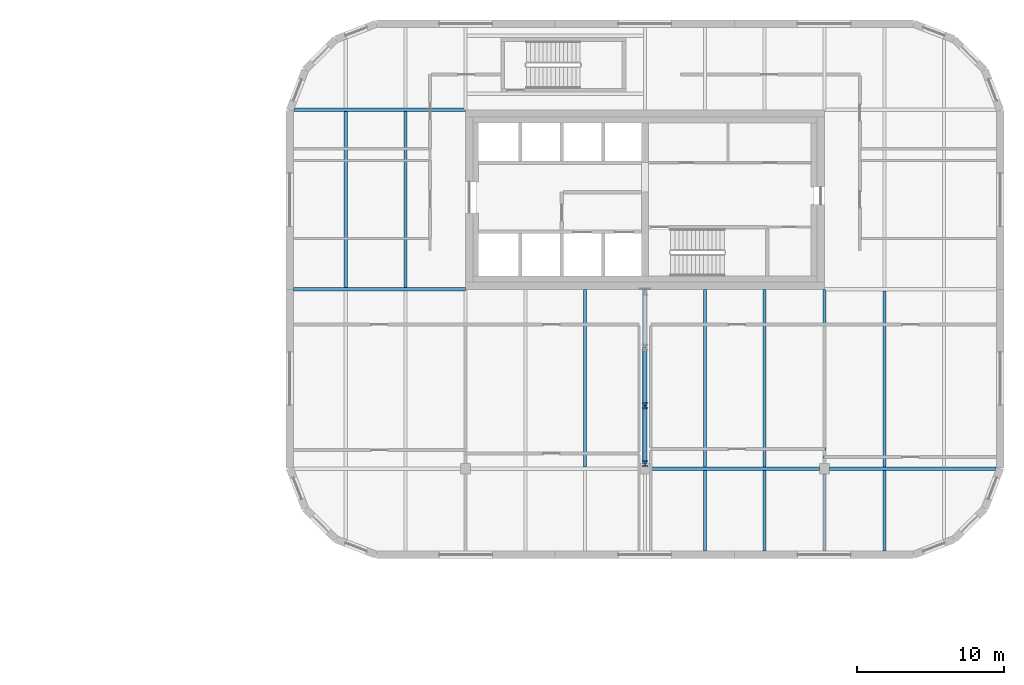
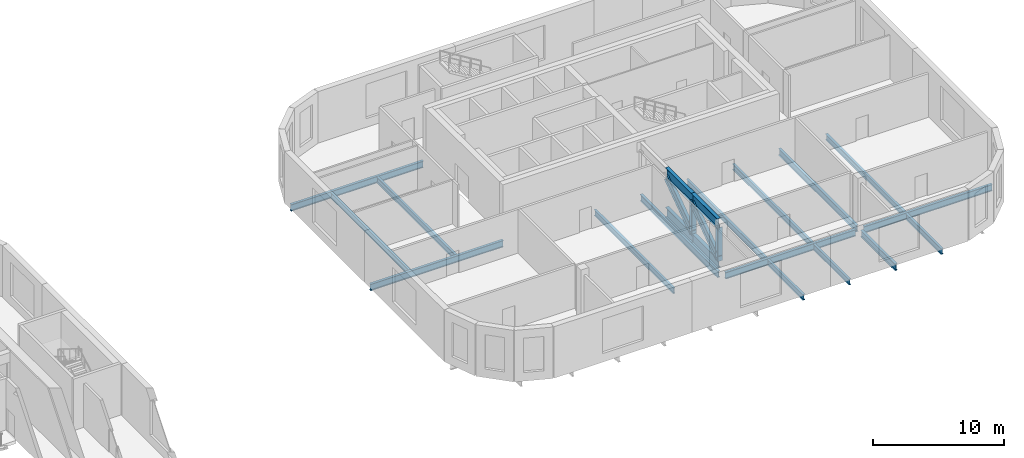
# One storey, part 5 of 21: 20 beams, 4 members.
"""IFC4 building model written with IfcOpenShell, lengths in metres."""

from ifc_helpers import new_model, si_unit, direction, frame, origin, origin_2d, place, context, subcontext, project, spatial, i_section, extrude, material, material_profile, profile_set, type_object, element, save


model = new_model("IFC4")

# Units and contexts
model_context = context("Model", 3, precision=1e-05, world=origin(), true_north=direction((0.0, 1.0)))
body_context = subcontext(model_context, "Body", "Model", "MODEL_VIEW")
ifc_project = project(units=[si_unit("LENGTHUNIT", "METRE"), si_unit("AREAUNIT", "SQUARE_METRE"), si_unit("VOLUMEUNIT", "CUBIC_METRE"), si_unit("PLANEANGLEUNIT", "RADIAN"), si_unit("MASSUNIT", "GRAM", prefix="KILO")], contexts=[model_context])

# Site, building, storey
site_placement = place(None, origin())
site = spatial("IfcSite", under=ifc_project, at=site_placement, CompositionType="ELEMENT")
building_placement = place(site_placement, origin())
building = spatial("IfcBuilding", under=site, at=building_placement, Name="Tessera Gate Towers", CompositionType="ELEMENT")
storey_placement = place(building_placement, frame((0.0, 0.0, 63.800048828125)))
storey = spatial("IfcBuildingStorey", under=building, at=storey_placement, Name="L15", CompositionType="ELEMENT", Elevation=63.800048828125)

# Beams
ifc_material_1 = material(Name="Steel 350W", Category="steel")
ifc_material_profile_1 = material_profile(ifc_material_1, i_section(OverallWidth=0.22900390625, OverallDepth=0.612060546875, WebThickness=0.011962890625, FlangeThickness=0.01953125, at=origin_2d()), Name="W610x125")
ifc_profile_set_1 = profile_set([ifc_material_profile_1], Name="Steel 350W")
beam_type_1 = type_object("IfcBeamType", Name="FLOOR GIRDER W610x125", PredefinedType="BEAM", material=ifc_profile_set_1)
beam_1_placement = place(storey_placement, frame((110.14990234375, 24.39990234375, -0.60595703125), z_axis=(1.0, 0.0, 0.0), x_axis=(0.0, 1.0, 0.0)))
element("IfcBeam", 1, at=beam_1_placement, inside=storey, type_object=beam_type_1, Name="T2-GD-L15-2187", PredefinedType="BEAM", context=body_context, shape_type="SweptSolid", body=[
    extrude(i_section(OverallWidth=0.22900390625, OverallDepth=0.612060546875, WebThickness=0.011962890625, FlangeThickness=0.01953125, at=origin_2d()), origin(), (0.0, 0.0, 1.0), 11.5),
])
beam_2_placement = place(storey_placement, frame((122.35009765625, 24.39990234375, -0.60595703125), z_axis=(1.0, 0.0, 0.0), x_axis=(0.0, 1.0, 0.0)))
element("IfcBeam", 2, at=beam_2_placement, inside=storey, type_object=beam_type_1, Name="T2-GD-L15-2188", PredefinedType="BEAM", context=body_context, shape_type="SweptSolid", body=[
    extrude(i_section(OverallWidth=0.22900390625, OverallDepth=0.612060546875, WebThickness=0.011962890625, FlangeThickness=0.01953125, at=origin_2d()), origin(), (0.0, 0.0, 1.0), 11.315185546875),
])
beam_3_placement = place(storey_placement, frame((85.89892578125, 36.60009765625, -0.60595703125), z_axis=(1.0, 0.0, 0.0), x_axis=(0.0, 1.0, 0.0)))
element("IfcBeam", 3, at=beam_3_placement, inside=storey, type_object=beam_type_1, Name="T2-GD-L15-2189", PredefinedType="BEAM", context=body_context, shape_type="SweptSolid", body=[
    extrude(i_section(OverallWidth=0.22900390625, OverallDepth=0.612060546875, WebThickness=0.011962890625, FlangeThickness=0.01953125, at=origin_2d()), origin(), (0.0, 0.0, 1.0), 11.7001953125),
])
beam_4_placement = place(storey_placement, frame((85.934814453125, 48.800048828125, -0.60595703125), z_axis=(1.0, 0.0, 0.0), x_axis=(0.0, 1.0, 0.0)))
element("IfcBeam", 4, at=beam_4_placement, inside=storey, type_object=beam_type_1, Name="T2-GD-L15-2191", PredefinedType="BEAM", context=body_context, shape_type="SweptSolid", body=[
    extrude(i_section(OverallWidth=0.22900390625, OverallDepth=0.612060546875, WebThickness=0.011962890625, FlangeThickness=0.01953125, at=origin_2d()), origin(), (0.0, 0.0, 1.0), 11.664306640625),
])
beam_5_placement = place(storey_placement, frame((109.800048828125, 24.75, -0.60595703125), z_axis=(0.0, 1.0, 0.0), x_axis=(-1.0, 0.0, 0.0)))
element("IfcBeam", 5, at=beam_5_placement, inside=storey, type_object=beam_type_1, Name="T2-GD-L15-2196", PredefinedType="BEAM", context=body_context, shape_type="SweptSolid", body=[
    extrude(i_section(OverallWidth=0.22900390625, OverallDepth=0.612060546875, WebThickness=0.011962890625, FlangeThickness=0.01953125, at=origin_2d()), origin(), (0.0, 0.0, 1.0), 11.85009765625),
])
beam_6_placement = place(storey_placement, frame((122.0, 18.799072265625, -0.60595703125), z_axis=(0.0, 1.0, 0.0), x_axis=(-1.0, 0.0, 0.0)))
element("IfcBeam", 6, at=beam_6_placement, inside=storey, type_object=beam_type_1, Name="T2-GD-L15-2197", PredefinedType="BEAM", context=body_context, shape_type="SweptSolid", body=[
    extrude(i_section(OverallWidth=0.22900390625, OverallDepth=0.612060546875, WebThickness=0.011962890625, FlangeThickness=0.01953125, at=origin_2d()), origin(), (0.0, 0.0, 1.0), 5.2509765625),
])
beam_7_placement = place(storey_placement, frame((122.0, 24.75, -0.60595703125), z_axis=(0.0, 1.0, 0.0), x_axis=(-1.0, 0.0, 0.0)))
element("IfcBeam", 7, at=beam_7_placement, inside=storey, type_object=beam_type_1, Name="T2-GD-L15-2198", PredefinedType="BEAM", context=body_context, shape_type="SweptSolid", body=[
    extrude(i_section(OverallWidth=0.22900390625, OverallDepth=0.612060546875, WebThickness=0.011962890625, FlangeThickness=0.01953125, at=origin_2d()), origin(), (0.0, 0.0, 1.0), 11.85009765625),
])
ifc_material_2 = material(Name="Steel 350W", Category="steel")
ifc_material_profile_2 = material_profile(ifc_material_2, i_section(OverallWidth=0.208984375, OverallDepth=0.528076171875, WebThickness=0.009521484375, FlangeThickness=0.01318359375, at=origin_2d()), Name="W530x82")
ifc_profile_set_2 = profile_set([ifc_material_profile_2], Name="Steel 350W")
beam_type_2 = type_object("IfcBeamType", Name="FLOOR SECONDARY W530x82", PredefinedType="BEAM", material=ifc_profile_set_2)
for number, where, z_axis, x_axis, name in (
    (8, (89.466796875, 36.714599609375, -0.56396484375), (0.0, 1.0, 0.0), (-1.0, 0.0, 0.0), "T2-BM-L15-2203"),
    (9, (93.533203125, 36.714599609375, -0.56396484375), (0.0, 1.0, 0.0), (-1.0, 0.0, 0.0), "T2-BM-L15-2207"),
):
    element("IfcBeam", number, at=place(storey_placement, frame(where, z_axis=z_axis, x_axis=x_axis)), inside=storey, type_object=beam_type_2, Name=name, PredefinedType="BEAM", context=body_context, shape_type="SweptSolid", body=[
        extrude(i_section(OverallWidth=0.208984375, OverallDepth=0.528076171875, WebThickness=0.009521484375, FlangeThickness=0.01318359375, at=origin_2d()), origin(), (0.0, 0.0, 1.0), 11.970947265625),
    ])
beam_8_placement = place(storey_placement, frame((105.7333984375, 24.514404296875, -0.56396484375), z_axis=(0.0, 1.0, 0.0), x_axis=(-1.0, 0.0, 0.0)))
element("IfcBeam", 10, at=beam_8_placement, inside=storey, type_object=beam_type_2, Name="T2-BM-L15-2213", PredefinedType="BEAM", context=body_context, shape_type="SweptSolid", body=[
    extrude(i_section(OverallWidth=0.208984375, OverallDepth=0.528076171875, WebThickness=0.009521484375, FlangeThickness=0.01318359375, at=origin_2d()), origin(), (0.0, 0.0, 1.0), 12.085693359375),
])
beam_9_placement = place(storey_placement, frame((113.86669921875, 18.800048828125, -0.56396484375), z_axis=(0.0, 1.0, 0.0), x_axis=(-1.0, 0.0, 0.0)))
element("IfcBeam", 11, at=beam_9_placement, inside=storey, type_object=beam_type_2, Name="T2-BM-L15-2215", PredefinedType="BEAM", context=body_context, shape_type="SweptSolid", body=[
    extrude(i_section(OverallWidth=0.208984375, OverallDepth=0.528076171875, WebThickness=0.009521484375, FlangeThickness=0.01318359375, at=origin_2d()), origin(), (0.0, 0.0, 1.0), 5.4853515625),
])
beam_10_placement = place(storey_placement, frame((113.86669921875, 24.514404296875, -0.56396484375), z_axis=(0.0, 1.0, 0.0), x_axis=(-1.0, 0.0, 0.0)))
element("IfcBeam", 12, at=beam_10_placement, inside=storey, type_object=beam_type_2, Name="T2-BM-L15-2216", PredefinedType="BEAM", context=body_context, shape_type="SweptSolid", body=[
    extrude(i_section(OverallWidth=0.208984375, OverallDepth=0.528076171875, WebThickness=0.009521484375, FlangeThickness=0.01318359375, at=origin_2d()), origin(), (0.0, 0.0, 1.0), 12.085693359375),
])
beam_11_placement = place(storey_placement, frame((117.933349609375, 18.800048828125, -0.56396484375), z_axis=(0.0, 1.0, 0.0), x_axis=(-1.0, 0.0, 0.0)))
element("IfcBeam", 13, at=beam_11_placement, inside=storey, type_object=beam_type_2, Name="T2-BM-L15-2218", PredefinedType="BEAM", context=body_context, shape_type="SweptSolid", body=[
    extrude(i_section(OverallWidth=0.208984375, OverallDepth=0.528076171875, WebThickness=0.009521484375, FlangeThickness=0.01318359375, at=origin_2d()), origin(), (0.0, 0.0, 1.0), 5.4853515625),
])
beam_12_placement = place(storey_placement, frame((117.933349609375, 24.514404296875, -0.56396484375), z_axis=(0.0, 1.0, 0.0), x_axis=(-1.0, 0.0, 0.0)))
element("IfcBeam", 14, at=beam_12_placement, inside=storey, type_object=beam_type_2, Name="T2-BM-L15-2219", PredefinedType="BEAM", context=body_context, shape_type="SweptSolid", body=[
    extrude(i_section(OverallWidth=0.208984375, OverallDepth=0.528076171875, WebThickness=0.009521484375, FlangeThickness=0.01318359375, at=origin_2d()), origin(), (0.0, 0.0, 1.0), 12.085693359375),
])
beam_13_placement = place(storey_placement, frame((126.066650390625, 18.800048828125, -0.56396484375), z_axis=(0.0, 1.0, 0.0), x_axis=(-1.0, 0.0, 0.0)))
element("IfcBeam", 15, at=beam_13_placement, inside=storey, type_object=beam_type_2, Name="T2-BM-L15-2222", PredefinedType="BEAM", context=body_context, shape_type="SweptSolid", body=[
    extrude(i_section(OverallWidth=0.208984375, OverallDepth=0.528076171875, WebThickness=0.009521484375, FlangeThickness=0.01318359375, at=origin_2d()), origin(), (0.0, 0.0, 1.0), 5.4853515625),
])
beam_14_placement = place(storey_placement, frame((126.066650390625, 24.514404296875, -0.56396484375), z_axis=(0.0, 1.0, 0.0), x_axis=(-1.0, 0.0, 0.0)))
element("IfcBeam", 16, at=beam_14_placement, inside=storey, type_object=beam_type_2, Name="T2-BM-L15-2223", PredefinedType="BEAM", context=body_context, shape_type="SweptSolid", body=[
    extrude(i_section(OverallWidth=0.208984375, OverallDepth=0.528076171875, WebThickness=0.009521484375, FlangeThickness=0.01318359375, at=origin_2d()), origin(), (0.0, 0.0, 1.0), 11.97119140625),
])

# Members
ifc_material_3 = material(Name="Steel 350W", Category="steel")
ifc_material_profile_3 = material_profile(ifc_material_3, i_section(OverallWidth=0.26806640625, OverallDepth=0.77001953125, WebThickness=0.015625, FlangeThickness=0.025390625, at=origin_2d()), Name="W760x196")
ifc_profile_set_3 = profile_set([ifc_material_profile_3], Name="Steel 350W")
member_type_1 = type_object("IfcMemberType", Name="OUTRIGGER BRACE W760x196", PredefinedType="BRACE", material=ifc_profile_set_3)
for number, where, z_axis, x_axis, name in (
    (17, (109.800048828125, 28.699951171875, 0.9150390625), (0.0, 0.818739493003, 0.574165170135), (-1.0, 0.0, 0.0), "Outrigger truss T2 L15 S1a brace D2"),
    (18, (109.800048828125, 24.75, 0.9150390625), (0.0, 0.818739493003, 0.574165170135), (-1.0, 0.0, 0.0), "Outrigger truss T2 L15 S1a brace D3"),
):
    element("IfcMember", number, at=place(storey_placement, frame(where, z_axis=z_axis, x_axis=x_axis)), inside=storey, type_object=member_type_1, Name=name, PredefinedType="BRACE", context=body_context, shape_type="SweptSolid", body=[
        extrude(i_section(OverallWidth=0.26806640625, OverallDepth=0.77001953125, WebThickness=0.015625, FlangeThickness=0.025390625, at=origin_2d()), origin(), (0.0, 0.0, 1.0), 4.824462890625),
    ])

# Beams
ifc_material_4 = material(Name="Steel 350W", Category="steel")
ifc_material_profile_4 = material_profile(ifc_material_4, i_section(OverallWidth=0.304931640625, OverallDepth=0.9150390625, WebThickness=0.01611328125, FlangeThickness=0.02587890625, at=origin_2d()), Name="W920x238")
ifc_profile_set_4 = profile_set([ifc_material_profile_4], Name="Steel 350W")
beam_type_3 = type_object("IfcBeamType", Name="OUTRIGGER CHORD W920x238", PredefinedType="BEAM", material=ifc_profile_set_4)
for number, where, z_axis, x_axis, name in (
    (19, (109.800048828125, 32.64990234375, 4.142333984375), (0.0, -1.0, 0.0), (1.0, 0.0, 0.0), "Outrigger truss T2 L15 S1a top chord TC2"),
    (20, (109.800048828125, 32.64990234375, 0.45751953125), (0.0, -1.0, 0.0), (1.0, 0.0, 0.0), "Outrigger truss T2 L15 S1a bottom chord BC2"),
    (21, (109.800048828125, 28.699951171875, 4.142333984375), (0.0, -1.0, 0.0), (1.0, 0.0, 0.0), "Outrigger truss T2 L15 S1a top chord TC3"),
    (22, (109.800048828125, 28.699951171875, 0.45751953125), (0.0, -1.0, 0.0), (1.0, 0.0, 0.0), "Outrigger truss T2 L15 S1a bottom chord BC3"),
):
    element("IfcBeam", number, at=place(storey_placement, frame(where, z_axis=z_axis, x_axis=x_axis)), inside=storey, type_object=beam_type_3, Name=name, PredefinedType="BEAM", context=body_context, shape_type="SweptSolid", body=[
        extrude(i_section(OverallWidth=0.304931640625, OverallDepth=0.9150390625, WebThickness=0.01611328125, FlangeThickness=0.02587890625, at=origin_2d()), origin(), (0.0, 0.0, 1.0), 3.949951171875),
    ])

# Members
ifc_material_5 = material(Name="Steel 350W", Category="steel")
ifc_material_profile_5 = material_profile(ifc_material_5, i_section(OverallWidth=0.39404296875, OverallDepth=0.375, WebThickness=0.017333984375, FlangeThickness=0.027587890625, at=origin_2d()), Name="W360x216")
ifc_profile_set_5 = profile_set([ifc_material_profile_5], Name="Steel 350W")
member_type_2 = type_object("IfcMemberType", Name="OUTRIGGER POST W360x216", PredefinedType="POST", material=ifc_profile_set_5)
for number, where, z_axis, x_axis, name in (
    (23, (109.800048828125, 28.699951171875, 0.732421875), (0.0, 0.0, 1.0), (1.0, 0.0, 0.0), "Outrigger truss T2 L15 S1a post V2"),
    (24, (109.800048828125, 24.75, 0.732421875), (0.0, 0.0, 1.0), (1.0, 0.0, 0.0), "Outrigger truss T2 L15 S1a post V3"),
):
    element("IfcMember", number, at=place(storey_placement, frame(where, z_axis=z_axis, x_axis=x_axis)), inside=storey, type_object=member_type_2, Name=name, PredefinedType="POST", context=body_context, shape_type="SweptSolid", body=[
        extrude(i_section(OverallWidth=0.39404296875, OverallDepth=0.375, WebThickness=0.017333984375, FlangeThickness=0.027587890625, at=origin_2d()), origin(), (0.0, 0.0, 1.0), 3.135009765625),
    ])

save(model, "model.ifc")
